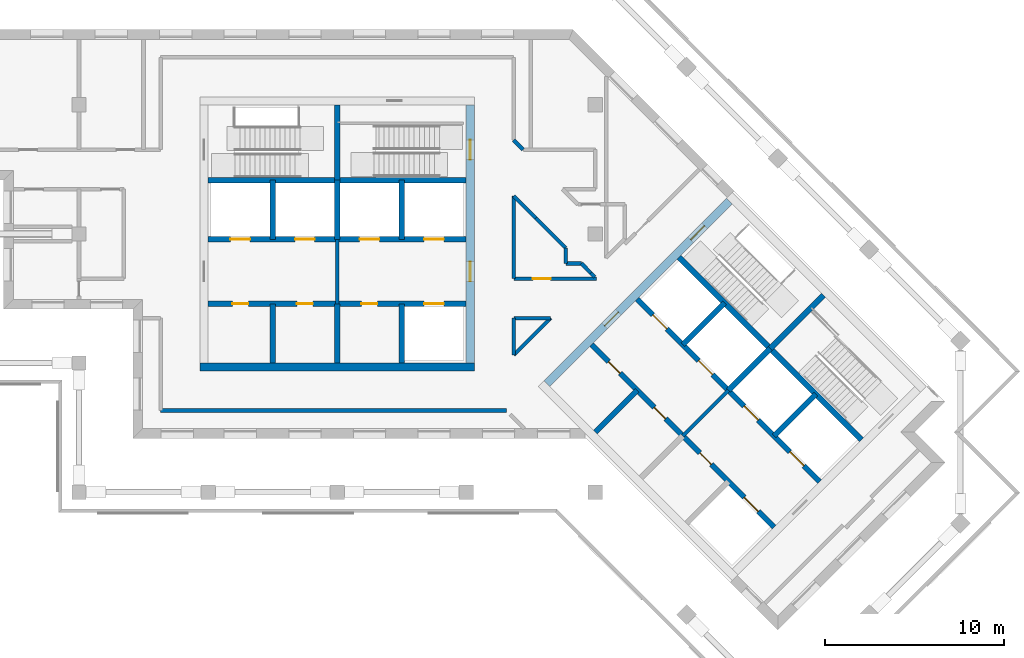
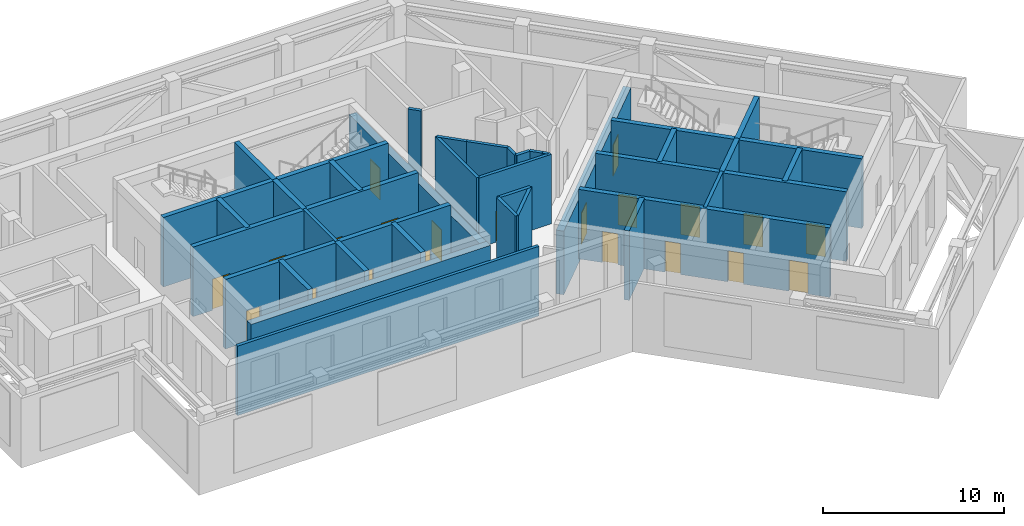
# One storey, part 4 of 9: 38 walls, 21 doors, 21 openings.
"""IFC4 building model written with IfcOpenShell, lengths in metres."""

from ifc_helpers import new_model, si_unit, direction, frame, frame_2d, origin, place, context, subcontext, project, spatial, rectangle, extrude, material, layer, layer_set, type_object, element, fill, save


model = new_model("IFC4")

# Units and contexts
model_context = context("Model", 3, precision=1e-05, world=origin(), true_north=direction((0.0, 1.0)))
body_context = subcontext(model_context, "Body", "Model", "MODEL_VIEW")
ifc_project = project(units=[si_unit("LENGTHUNIT", "METRE"), si_unit("AREAUNIT", "SQUARE_METRE"), si_unit("VOLUMEUNIT", "CUBIC_METRE"), si_unit("PLANEANGLEUNIT", "RADIAN"), si_unit("MASSUNIT", "GRAM", prefix="KILO")], contexts=[model_context])

# Site, building, storey
site_placement = place(None, origin())
site = spatial("IfcSite", under=ifc_project, at=site_placement, CompositionType="ELEMENT")
building_placement = place(site_placement, origin())
building = spatial("IfcBuilding", under=site, at=building_placement, Name="Windrow Commons", CompositionType="ELEMENT")
storey_placement = place(building_placement, frame((0.0, 0.0, 234.6)))
storey = spatial("IfcBuildingStorey", under=building, at=storey_placement, Name="L64", CompositionType="ELEMENT", Elevation=234.6)

# Walls
ifc_material_1 = material(Name="Blockwork partition", Category="masonry")
ifc_layer_1 = layer(ifc_material_1, 0.2)
ifc_layer_set_1 = layer_set([ifc_layer_1], Name="Fire lobby partition 200")
wall_type_1 = type_object("IfcWallType", Name="Fire lobby partition 200", PredefinedType="PARTITIONING", material=ifc_layer_set_1)
for number, where, z_axis, x_axis, name in (
    (1, (64.8, 53.7, 0.0), (0.0, 0.0, 1.0), (0.0, 1.0, 0.0), "W-core-lobby-A-L64"),
    (2, (84.079, 46.332, 0.0), (0.0, 0.0, 1.0), (0.7071067812, 0.7071067812, 0.0), "W-core-lobby-B-L64"),
):
    element("IfcWall", number, at=place(storey_placement, frame(where, z_axis=z_axis, x_axis=x_axis)), inside=storey, type_object=wall_type_1, Name=name, PredefinedType="PARTITIONING", context=body_context, shape_type="SweptSolid", body=[
        extrude(rectangle(XDim=3.6, YDim=0.2, at=frame_2d((1.8, 0.0))), origin(), (0.0, 0.0, 1.0), 4.7),
    ])
ifc_material_2 = material(Name="Blockwork partition", Category="masonry")
ifc_layer_2 = layer(ifc_material_2, 0.2)
ifc_layer_set_2 = layer_set([ifc_layer_2], Name="IW-CORRIDOR-200")
wall_type_2 = type_object("IfcWallType", Name="IW-CORRIDOR-200", PredefinedType="PARTITIONING", material=ifc_layer_set_2)
wall_1_placement = place(storey_placement, frame((54.95, 47.75, 0.0), z_axis=(0.0, 0.0, 1.0), x_axis=(1.0, 0.0, 0.0)))
element("IfcWall", 3, at=wall_1_placement, inside=storey, type_object=wall_type_2, Name="W-L64-W001", PredefinedType="PARTITIONING", context=body_context, shape_type="SweptSolid", body=[
    extrude(rectangle(XDim=19.296, YDim=0.2, at=frame_2d((9.648, 0.0))), origin(), (0.0, 0.0, 1.0), 4.7),
])
wall_2_placement = place(storey_placement, frame((74.65, 55.102, 0.0), z_axis=(0.0, 0.0, 1.0), x_axis=(0.0, 1.0, 0.0)))
element("IfcWall", 4, at=wall_2_placement, inside=storey, type_object=wall_type_2, Name="W-L64-W014", PredefinedType="PARTITIONING", context=body_context, shape_type="SweptSolid", body=[
    extrude(rectangle(XDim=4.616, YDim=0.2, at=frame_2d((2.308, 0.0))), origin(), (0.0, 0.0, 1.0), 4.7),
])

# Wall, opening, door
wall_3_placement = place(storey_placement, frame((74.652, 55.1, 0.0), z_axis=(0.0, 0.0, 1.0), x_axis=(1.0, 0.0, 0.0)))
wall_3 = element("IfcWall", 5, at=wall_3_placement, inside=storey, type_object=wall_type_2, Name="W-L64-W015", PredefinedType="PARTITIONING", context=body_context, shape_type="SweptSolid", body=[
    extrude(rectangle(XDim=4.616, YDim=0.2, at=frame_2d((2.308, 0.0))), origin(), (0.0, 0.0, 1.0), 4.7),
])
opening_1_placement = place(wall_3_placement, frame((1.0599, 0.0, 0.0)))
opening_1 = element("IfcOpeningElement", 6, at=opening_1_placement, cuts=wall_3, Name="Opening D410F", PredefinedType="OPENING", context=body_context, shape_type="SweptSolid", body=[
    extrude(rectangle(XDim=1.0, YDim=2.1, at=frame_2d((0.5, 1.05))), frame((0.0, 0.11, 0.0), z_axis=(0.0, -1.0, 0.0), x_axis=(1.0, 0.0, 0.0)), (0.0, 0.0, 1.0), 0.22),
])
ifc_material_3 = material(Name="Timber door leaf", Category="wood")
door_type_1 = type_object("IfcDoorType", Name="DT-SERVICE-1000", OperationType="SINGLE_SWING_LEFT", PredefinedType="DOOR", material=ifc_material_3)
door_1_placement = place(opening_1_placement, origin())
door_1 = element("IfcDoor", 7, at=door_1_placement, inside=storey, type_object=door_type_1, Name="D-L64-D002", OperationType="SINGLE_SWING_LEFT", OverallHeight=2.1, OverallWidth=1.0, PredefinedType="DOOR", context=body_context, shape_type="SweptSolid", body=[
    extrude(rectangle(XDim=1.0, YDim=2.1, at=frame_2d((0.5, 1.05))), frame((0.0, 0.025, 0.0), z_axis=(0.0, -1.0, 0.0), x_axis=(1.0, 0.0, 0.0)), (0.0, 0.0, 1.0), 0.05),
])
fill(opening_1, door_1)

# Walls
wall_4_placement = place(storey_placement, frame((74.6507, 50.8353, 0.0), z_axis=(0.0, 0.0, 1.0), x_axis=(0.7071067812, 0.7071067812, 0.0)))
element("IfcWall", 8, at=wall_4_placement, inside=storey, type_object=wall_type_2, Name="W-L64-W023", PredefinedType="PARTITIONING", context=body_context, shape_type="SweptSolid", body=[
    extrude(rectangle(XDim=2.9189, YDim=0.2, at=frame_2d((1.4594, 0.0))), origin(), (0.0, 0.0, 1.0), 4.7),
])
wall_5_placement = place(storey_placement, frame((75.8784, 58.4964, 0.0), z_axis=(0.0, 0.0, 1.0), x_axis=(0.7075293128, -0.706683997, 0.0)))
element("IfcWall", 9, at=wall_5_placement, inside=storey, type_object=wall_type_2, Name="W-L64-W025", PredefinedType="PARTITIONING", context=body_context, shape_type="SweptSolid", body=[
    extrude(rectangle(XDim=2.366, YDim=0.2, at=frame_2d((1.183, 0.0))), origin(), (0.0, 0.0, 1.0), 4.7),
])
wall_6_placement = place(storey_placement, frame((74.65, 50.836, 0.0), z_axis=(0.0, 0.0, 1.0), x_axis=(0.0, 1.0, 0.0)))
element("IfcWall", 10, at=wall_6_placement, inside=storey, type_object=wall_type_2, Name="W-L64-W032", PredefinedType="PARTITIONING", context=body_context, shape_type="SweptSolid", body=[
    extrude(rectangle(XDim=2.064, YDim=0.2, at=frame_2d((1.032, 0.0))), origin(), (0.0, 0.0, 1.0), 4.7),
])
wall_7_placement = place(storey_placement, frame((74.652, 52.9, 0.0), z_axis=(0.0, 0.0, 1.0), x_axis=(1.0, 0.0, 0.0)))
element("IfcWall", 11, at=wall_7_placement, inside=storey, type_object=wall_type_2, Name="W-L64-W033", PredefinedType="PARTITIONING", context=body_context, shape_type="SweptSolid", body=[
    extrude(rectangle(XDim=2.062, YDim=0.2, at=frame_2d((1.031, 0.0))), origin(), (0.0, 0.0, 1.0), 4.7),
])
wall_8_placement = place(storey_placement, frame((74.6492, 59.7172, 0.0), z_axis=(0.0, 0.0, 1.0), x_axis=(0.7065293157, -0.7076837754, 0.0)))
element("IfcWall", 12, at=wall_8_placement, inside=storey, type_object=wall_type_2, Name="W-L64-W036", PredefinedType="PARTITIONING", context=body_context, shape_type="SweptSolid", body=[
    extrude(rectangle(XDim=1.7324, YDim=0.2, at=frame_2d((0.8662, 0.0))), origin(), (0.0, 0.0, 1.0), 4.7),
])
for number, where, z_axis, x_axis, name in (
    (13, (77.55, 55.952, 0.0), (0.0, 0.0, 1.0), (0.0, 1.0, 0.0), "W-L64-W045"),
    (14, (77.552, 55.95, 0.0), (0.0, 0.0, 1.0), (1.0, 0.0, 0.0), "W-L64-W046"),
):
    element("IfcWall", number, at=place(storey_placement, frame(where, z_axis=z_axis, x_axis=x_axis)), inside=storey, type_object=wall_type_2, Name=name, PredefinedType="PARTITIONING", context=body_context, shape_type="SweptSolid", body=[
        extrude(rectangle(XDim=0.868, YDim=0.2, at=frame_2d((0.434, 0.0))), origin(), (0.0, 0.0, 1.0), 4.7),
    ])
wall_9_placement = place(storey_placement, frame((74.6469, 62.8289, 0.0), z_axis=(0.0, 0.0, 1.0), x_axis=(0.7071067812, -0.7071067812, 0.0)))
element("IfcWall", 15, at=wall_9_placement, inside=storey, type_object=wall_type_2, Name="W-L64-W047", PredefinedType="PARTITIONING", context=body_context, shape_type="SweptSolid", body=[
    extrude(rectangle(XDim=0.7524, YDim=0.2, at=frame_2d((0.3762, 0.0))), origin(), (0.0, 0.0, 1.0), 4.7),
])
wall_10_placement = place(storey_placement, frame((78.4255, 55.9535, 0.0), z_axis=(0.0, 0.0, 1.0), x_axis=(0.7057738785, -0.7084371761, 0.0)))
element("IfcWall", 16, at=wall_10_placement, inside=storey, type_object=wall_type_2, Name="W-L64-W048", PredefinedType="PARTITIONING", context=body_context, shape_type="SweptSolid", body=[
    extrude(rectangle(XDim=0.7509, YDim=0.2, at=frame_2d((0.3755, 0.0))), origin(), (0.0, 0.0, 1.0), 4.7),
])
wall_11_placement = place(storey_placement, frame((78.9513, 55.4173, 0.0), z_axis=(0.0, 0.0, 1.0), x_axis=(0.709302262, -0.7049044624, 0.0)))
element("IfcWall", 17, at=wall_11_placement, inside=storey, type_object=wall_type_2, Name="W-L64-W049", PredefinedType="PARTITIONING", context=body_context, shape_type="SweptSolid", body=[
    extrude(rectangle(XDim=0.3183, YDim=0.2, at=frame_2d((0.1592, 0.0))), origin(), (0.0, 0.0, 1.0), 4.7),
])
ifc_material_4 = material(Name="Concrete C40/50", Category="concrete")
ifc_layer_3 = layer(ifc_material_4, 0.45)
ifc_layer_set_3 = layer_set([ifc_layer_3], Name="RC CORE WALL 450 C40/50")
wall_type_3 = type_object("IfcWallType", Name="RC CORE WALL 450 C40/50", PredefinedType="SHEAR", material=ifc_layer_set_3)
wall_12_placement = place(storey_placement, frame((57.15, 50.175, -0.3), z_axis=(0.0, 0.0, 1.0), x_axis=(1.0, 0.0, 0.0)))
element("IfcWall", 18, at=wall_12_placement, inside=storey, type_object=wall_type_3, Name="Core A wall outer-S", PredefinedType="SHEAR", context=body_context, shape_type="SweptSolid", body=[
    extrude(rectangle(XDim=15.3, YDim=0.45, at=frame_2d((7.65, 0.0))), origin(), (0.0, 0.0, 1.0), 4.3),
])

# Wall, openings, doors
wall_13_placement = place(storey_placement, frame((72.225, 50.4, -0.3), z_axis=(0.0, 0.0, 1.0), x_axis=(0.0, 1.0, 0.0)))
wall_13 = element("IfcWall", 19, at=wall_13_placement, inside=storey, type_object=wall_type_3, Name="Core A wall outer-E", PredefinedType="SHEAR", context=body_context, shape_type="SweptSolid", body=[
    extrude(rectangle(XDim=14.4, YDim=0.45, at=frame_2d((7.2, 0.0))), origin(), (0.0, 0.0, 1.0), 4.3),
])
opening_2_placement = place(wall_13_placement, frame((4.55, 0.0, 0.3)))
opening_2 = element("IfcOpeningElement", 20, at=opening_2_placement, cuts=wall_13, Name="Opening D6", PredefinedType="OPENING", context=body_context, shape_type="SweptSolid", body=[
    extrude(rectangle(XDim=1.1, YDim=2.1, at=frame_2d((0.55, 1.05))), frame((0.0, 0.235, 0.0), z_axis=(0.0, -1.0, 0.0), x_axis=(1.0, 0.0, 0.0)), (0.0, 0.0, 1.0), 0.47),
])
opening_3_placement = place(wall_13_placement, frame((11.35, 0.0, 0.3)))
opening_3 = element("IfcOpeningElement", 21, at=opening_3_placement, cuts=wall_13, Name="Opening D7", PredefinedType="OPENING", context=body_context, shape_type="SweptSolid", body=[
    extrude(rectangle(XDim=1.1, YDim=2.1, at=frame_2d((0.55, 1.05))), frame((0.0, 0.235, 0.0), z_axis=(0.0, -1.0, 0.0), x_axis=(1.0, 0.0, 0.0)), (0.0, 0.0, 1.0), 0.47),
])
ifc_material_5 = material(Name="Steel fire door leaf", Category="steel")
door_type_2 = type_object("IfcDoorType", Name="Core lobby door 1100", OperationType="SINGLE_SWING_LEFT", PredefinedType="DOOR", material=ifc_material_5)
door_2_placement = place(opening_2_placement, origin())
door_2 = element("IfcDoor", 22, at=door_2_placement, inside=storey, type_object=door_type_2, Name="Lift lobby door", OperationType="DOUBLE_DOOR_SINGLE_SWING", OverallHeight=2.1, OverallWidth=1.1, PredefinedType="DOOR", context=body_context, shape_type="SweptSolid", body=[
    extrude(rectangle(XDim=1.1, YDim=2.1, at=frame_2d((0.55, 1.05))), frame((0.0, 0.025, 0.0), z_axis=(0.0, -1.0, 0.0), x_axis=(1.0, 0.0, 0.0)), (0.0, 0.0, 1.0), 0.05),
])
fill(opening_2, door_2)
ifc_material_6 = material(Name="Steel fire door leaf", Category="steel")
door_type_3 = type_object("IfcDoorType", Name="Stair door 1100", OperationType="SINGLE_SWING_LEFT", PredefinedType="DOOR", material=ifc_material_6)
door_3_placement = place(opening_3_placement, origin())
door_3 = element("IfcDoor", 23, at=door_3_placement, inside=storey, type_object=door_type_3, Name="Stair door", OperationType="SINGLE_SWING_RIGHT", OverallHeight=2.1, OverallWidth=1.1, PredefinedType="DOOR", context=body_context, shape_type="SweptSolid", body=[
    extrude(rectangle(XDim=1.1, YDim=2.1, at=frame_2d((0.55, 1.05))), frame((0.0, 0.025, 0.0), z_axis=(0.0, -1.0, 0.0), x_axis=(1.0, 0.0, 0.0)), (0.0, 0.0, 1.0), 0.05),
])
fill(opening_3, door_3)

wall_14_placement = place(storey_placement, frame((76.4953, 49.2488, -0.3), z_axis=(0.0, 0.0, 1.0), x_axis=(0.7071067812, 0.7071067812, 0.0)))
wall_14 = element("IfcWall", 24, at=wall_14_placement, inside=storey, type_object=wall_type_3, Name="Core B wall outer-W", PredefinedType="SHEAR", context=body_context, shape_type="SweptSolid", body=[
    extrude(rectangle(XDim=14.4001, YDim=0.45, at=frame_2d((7.2001, 0.0))), origin(), (0.0, 0.0, 1.0), 4.3),
])
opening_4_placement = place(wall_14_placement, frame((4.55, 0.0, 0.3)))
opening_4 = element("IfcOpeningElement", 25, at=opening_4_placement, cuts=wall_14, Name="Opening D6", PredefinedType="OPENING", context=body_context, shape_type="SweptSolid", body=[
    extrude(rectangle(XDim=1.1, YDim=2.1, at=frame_2d((0.55, 1.05))), frame((0.0, 0.235, 0.0), z_axis=(0.0, -1.0, 0.0), x_axis=(1.0, 0.0, 0.0)), (0.0, 0.0, 1.0), 0.47),
])
opening_5_placement = place(wall_14_placement, frame((11.35, 0.0, 0.3)))
opening_5 = element("IfcOpeningElement", 26, at=opening_5_placement, cuts=wall_14, Name="Opening D7", PredefinedType="OPENING", context=body_context, shape_type="SweptSolid", body=[
    extrude(rectangle(XDim=1.1, YDim=2.1, at=frame_2d((0.55, 1.05))), frame((0.0, 0.235, 0.0), z_axis=(0.0, -1.0, 0.0), x_axis=(1.0, 0.0, 0.0)), (0.0, 0.0, 1.0), 0.47),
])
door_4_placement = place(opening_4_placement, origin())
door_4 = element("IfcDoor", 27, at=door_4_placement, inside=storey, type_object=door_type_2, Name="Lift lobby door", OperationType="DOUBLE_DOOR_SINGLE_SWING", OverallHeight=2.1, OverallWidth=1.1, PredefinedType="DOOR", context=body_context, shape_type="SweptSolid", body=[
    extrude(rectangle(XDim=1.1, YDim=2.1, at=frame_2d((0.55, 1.05))), frame((0.0, 0.025, 0.0), z_axis=(0.0, -1.0, 0.0), x_axis=(1.0, 0.0, 0.0)), (0.0, 0.0, 1.0), 0.05),
])
fill(opening_4, door_4)
door_5_placement = place(opening_5_placement, origin())
door_5 = element("IfcDoor", 28, at=door_5_placement, inside=storey, type_object=door_type_3, Name="Stair door", OperationType="SINGLE_SWING_LEFT", OverallHeight=2.1, OverallWidth=1.1, PredefinedType="DOOR", context=body_context, shape_type="SweptSolid", body=[
    extrude(rectangle(XDim=1.1, YDim=2.1, at=frame_2d((0.55, 1.05))), frame((0.0, 0.025, 0.0), z_axis=(0.0, -1.0, 0.0), x_axis=(1.0, 0.0, 0.0)), (0.0, 0.0, 1.0), 0.05),
])
fill(opening_5, door_5)

# Walls
ifc_material_7 = material(Name="Concrete C40/50", Category="concrete")
ifc_layer_4 = layer(ifc_material_7, 0.3)
ifc_layer_set_4 = layer_set([ifc_layer_4], Name="RC SHAFT WALL 300 C40/50")
wall_type_4 = type_object("IfcWallType", Name="RC SHAFT WALL 300 C40/50", PredefinedType="SOLIDWALL", material=ifc_layer_set_4)
for number, where, z_axis, x_axis, name in (
    (29, (61.2, 50.4, 0.0), (0.0, 0.0, 1.0), (0.0, 1.0, 0.0), "Core A wall shaft-S1"),
    (30, (61.2, 57.3, 0.0), (0.0, 0.0, 1.0), (0.0, 1.0, 0.0), "Core A wall shaft-N1"),
    (31, (64.8, 50.4, 0.0), (0.0, 0.0, 1.0), (0.0, 1.0, 0.0), "Core A wall shaft-S2"),
    (32, (64.8, 57.3, 0.0), (0.0, 0.0, 1.0), (0.0, 1.0, 0.0), "Core A wall shaft-N2"),
    (33, (68.4, 50.4, 0.0), (0.0, 0.0, 1.0), (0.0, 1.0, 0.0), "Core A wall shaft-S3"),
    (34, (68.4, 57.3, 0.0), (0.0, 0.0, 1.0), (0.0, 1.0, 0.0), "Core A wall shaft-N3"),
):
    element("IfcWall", number, at=place(storey_placement, frame(where, z_axis=z_axis, x_axis=x_axis)), inside=storey, type_object=wall_type_4, Name=name, PredefinedType="SOLIDWALL", context=body_context, shape_type="SweptSolid", body=[
        extrude(rectangle(XDim=3.3, YDim=0.3, at=frame_2d((1.65, 0.0))), origin(), (0.0, 0.0, 1.0), 4.7),
    ])

# Wall, openings, doors
wall_15_placement = place(storey_placement, frame((57.6, 53.7, 0.0), z_axis=(0.0, 0.0, 1.0), x_axis=(1.0, 0.0, 0.0)))
wall_15 = element("IfcWall", 35, at=wall_15_placement, inside=storey, type_object=wall_type_4, Name="Core A wall lobby-S", PredefinedType="SOLIDWALL", context=body_context, shape_type="SweptSolid", body=[
    extrude(rectangle(XDim=14.4, YDim=0.3, at=frame_2d((7.2, 0.0))), origin(), (0.0, 0.0, 1.0), 4.7),
])
opening_6_placement = place(wall_15_placement, frame((1.35, 0.0, 0.0)))
opening_6 = element("IfcOpeningElement", 36, at=opening_6_placement, cuts=wall_15, Name="Opening D8", PredefinedType="OPENING", context=body_context, shape_type="SweptSolid", body=[
    extrude(rectangle(XDim=0.9, YDim=2.1, at=frame_2d((0.45, 1.05))), frame((0.0, 0.16, 0.0), z_axis=(0.0, -1.0, 0.0), x_axis=(1.0, 0.0, 0.0)), (0.0, 0.0, 1.0), 0.32),
])
opening_7_placement = place(wall_15_placement, frame((4.95, 0.0, 0.0)))
opening_7 = element("IfcOpeningElement", 37, at=opening_7_placement, cuts=wall_15, Name="Opening D8", PredefinedType="OPENING", context=body_context, shape_type="SweptSolid", body=[
    extrude(rectangle(XDim=0.9, YDim=2.1, at=frame_2d((0.45, 1.05))), frame((0.0, 0.16, 0.0), z_axis=(0.0, -1.0, 0.0), x_axis=(1.0, 0.0, 0.0)), (0.0, 0.0, 1.0), 0.32),
])
opening_8_placement = place(wall_15_placement, frame((8.55, 0.0, 0.0)))
opening_8 = element("IfcOpeningElement", 38, at=opening_8_placement, cuts=wall_15, Name="Opening D8", PredefinedType="OPENING", context=body_context, shape_type="SweptSolid", body=[
    extrude(rectangle(XDim=0.9, YDim=2.1, at=frame_2d((0.45, 1.05))), frame((0.0, 0.16, 0.0), z_axis=(0.0, -1.0, 0.0), x_axis=(1.0, 0.0, 0.0)), (0.0, 0.0, 1.0), 0.32),
])
opening_9_placement = place(wall_15_placement, frame((12.05, 0.0, 0.0)))
opening_9 = element("IfcOpeningElement", 39, at=opening_9_placement, cuts=wall_15, Name="Opening LD", PredefinedType="OPENING", context=body_context, shape_type="SweptSolid", body=[
    extrude(rectangle(XDim=1.1, YDim=2.1, at=frame_2d((0.55, 1.05))), frame((0.0, 0.16, 0.0), z_axis=(0.0, -1.0, 0.0), x_axis=(1.0, 0.0, 0.0)), (0.0, 0.0, 1.0), 0.32),
])
ifc_material_8 = material(Name="Steel fire door leaf", Category="steel")
door_type_4 = type_object("IfcDoorType", Name="Core store door 900", OperationType="SINGLE_SWING_LEFT", PredefinedType="DOOR", material=ifc_material_8)
door_6_placement = place(opening_6_placement, origin())
door_6 = element("IfcDoor", 40, at=door_6_placement, inside=storey, type_object=door_type_4, Name="Store door", OperationType="SINGLE_SWING_LEFT", OverallHeight=2.1, OverallWidth=0.9, PredefinedType="DOOR", context=body_context, shape_type="SweptSolid", body=[
    extrude(rectangle(XDim=0.9, YDim=2.1, at=frame_2d((0.45, 1.05))), frame((0.0, 0.025, 0.0), z_axis=(0.0, -1.0, 0.0), x_axis=(1.0, 0.0, 0.0)), (0.0, 0.0, 1.0), 0.05),
])
fill(opening_6, door_6)
door_7_placement = place(opening_7_placement, origin())
door_7 = element("IfcDoor", 41, at=door_7_placement, inside=storey, type_object=door_type_4, Name="Store door", OperationType="SINGLE_SWING_LEFT", OverallHeight=2.1, OverallWidth=0.9, PredefinedType="DOOR", context=body_context, shape_type="SweptSolid", body=[
    extrude(rectangle(XDim=0.9, YDim=2.1, at=frame_2d((0.45, 1.05))), frame((0.0, 0.025, 0.0), z_axis=(0.0, -1.0, 0.0), x_axis=(1.0, 0.0, 0.0)), (0.0, 0.0, 1.0), 0.05),
])
fill(opening_7, door_7)
door_8_placement = place(opening_8_placement, origin())
door_8 = element("IfcDoor", 42, at=door_8_placement, inside=storey, type_object=door_type_4, Name="Store door", OperationType="SINGLE_SWING_LEFT", OverallHeight=2.1, OverallWidth=0.9, PredefinedType="DOOR", context=body_context, shape_type="SweptSolid", body=[
    extrude(rectangle(XDim=0.9, YDim=2.1, at=frame_2d((0.45, 1.05))), frame((0.0, 0.025, 0.0), z_axis=(0.0, -1.0, 0.0), x_axis=(1.0, 0.0, 0.0)), (0.0, 0.0, 1.0), 0.05),
])
fill(opening_8, door_8)
ifc_material_9 = material(Name="Stainless steel door leaf", Category="steel")
door_type_5 = type_object("IfcDoorType", Name="Lift landing door 1100", OperationType="SLIDING_TO_LEFT", PredefinedType="DOOR", material=ifc_material_9)
door_9_placement = place(opening_9_placement, origin())
door_9 = element("IfcDoor", 43, at=door_9_placement, inside=storey, type_object=door_type_5, Name="Lift landing door", OperationType="SLIDING_TO_RIGHT", OverallHeight=2.1, OverallWidth=1.1, PredefinedType="DOOR", context=body_context, shape_type="SweptSolid", body=[
    extrude(rectangle(XDim=1.1, YDim=2.1, at=frame_2d((0.55, 1.05))), frame((0.0, 0.025, 0.0), z_axis=(0.0, -1.0, 0.0), x_axis=(1.0, 0.0, 0.0)), (0.0, 0.0, 1.0), 0.05),
])
fill(opening_9, door_9)

wall_16_placement = place(storey_placement, frame((57.6, 57.3, 0.0), z_axis=(0.0, 0.0, 1.0), x_axis=(1.0, 0.0, 0.0)))
wall_16 = element("IfcWall", 44, at=wall_16_placement, inside=storey, type_object=wall_type_4, Name="Core A wall lobby-N", PredefinedType="SOLIDWALL", context=body_context, shape_type="SweptSolid", body=[
    extrude(rectangle(XDim=14.4, YDim=0.3, at=frame_2d((7.2, 0.0))), origin(), (0.0, 0.0, 1.0), 4.7),
])
opening_10_placement = place(wall_16_placement, frame((1.25, 0.0, 0.0)))
opening_10 = element("IfcOpeningElement", 45, at=opening_10_placement, cuts=wall_16, Name="Opening LD", PredefinedType="OPENING", context=body_context, shape_type="SweptSolid", body=[
    extrude(rectangle(XDim=1.1, YDim=2.1, at=frame_2d((0.55, 1.05))), frame((0.0, 0.16, 0.0), z_axis=(0.0, -1.0, 0.0), x_axis=(1.0, 0.0, 0.0)), (0.0, 0.0, 1.0), 0.32),
])
opening_11_placement = place(wall_16_placement, frame((4.85, 0.0, 0.0)))
opening_11 = element("IfcOpeningElement", 46, at=opening_11_placement, cuts=wall_16, Name="Opening LD", PredefinedType="OPENING", context=body_context, shape_type="SweptSolid", body=[
    extrude(rectangle(XDim=1.1, YDim=2.1, at=frame_2d((0.55, 1.05))), frame((0.0, 0.16, 0.0), z_axis=(0.0, -1.0, 0.0), x_axis=(1.0, 0.0, 0.0)), (0.0, 0.0, 1.0), 0.32),
])
opening_12_placement = place(wall_16_placement, frame((8.45, 0.0, 0.0)))
opening_12 = element("IfcOpeningElement", 47, at=opening_12_placement, cuts=wall_16, Name="Opening LD", PredefinedType="OPENING", context=body_context, shape_type="SweptSolid", body=[
    extrude(rectangle(XDim=1.1, YDim=2.1, at=frame_2d((0.55, 1.05))), frame((0.0, 0.16, 0.0), z_axis=(0.0, -1.0, 0.0), x_axis=(1.0, 0.0, 0.0)), (0.0, 0.0, 1.0), 0.32),
])
opening_13_placement = place(wall_16_placement, frame((12.05, 0.0, 0.0)))
opening_13 = element("IfcOpeningElement", 48, at=opening_13_placement, cuts=wall_16, Name="Opening LD", PredefinedType="OPENING", context=body_context, shape_type="SweptSolid", body=[
    extrude(rectangle(XDim=1.1, YDim=2.1, at=frame_2d((0.55, 1.05))), frame((0.0, 0.16, 0.0), z_axis=(0.0, -1.0, 0.0), x_axis=(1.0, 0.0, 0.0)), (0.0, 0.0, 1.0), 0.32),
])
door_10_placement = place(opening_10_placement, origin())
door_10 = element("IfcDoor", 49, at=door_10_placement, inside=storey, type_object=door_type_5, Name="Lift landing door", OperationType="SLIDING_TO_LEFT", OverallHeight=2.1, OverallWidth=1.1, PredefinedType="DOOR", context=body_context, shape_type="SweptSolid", body=[
    extrude(rectangle(XDim=1.1, YDim=2.1, at=frame_2d((0.55, 1.05))), frame((0.0, 0.025, 0.0), z_axis=(0.0, -1.0, 0.0), x_axis=(1.0, 0.0, 0.0)), (0.0, 0.0, 1.0), 0.05),
])
fill(opening_10, door_10)
door_11_placement = place(opening_11_placement, origin())
door_11 = element("IfcDoor", 50, at=door_11_placement, inside=storey, type_object=door_type_5, Name="Lift landing door", OperationType="SLIDING_TO_RIGHT", OverallHeight=2.1, OverallWidth=1.1, PredefinedType="DOOR", context=body_context, shape_type="SweptSolid", body=[
    extrude(rectangle(XDim=1.1, YDim=2.1, at=frame_2d((0.55, 1.05))), frame((0.0, 0.025, 0.0), z_axis=(0.0, -1.0, 0.0), x_axis=(1.0, 0.0, 0.0)), (0.0, 0.0, 1.0), 0.05),
])
fill(opening_11, door_11)
door_12_placement = place(opening_12_placement, origin())
door_12 = element("IfcDoor", 51, at=door_12_placement, inside=storey, type_object=door_type_5, Name="Lift landing door", OperationType="SLIDING_TO_LEFT", OverallHeight=2.1, OverallWidth=1.1, PredefinedType="DOOR", context=body_context, shape_type="SweptSolid", body=[
    extrude(rectangle(XDim=1.1, YDim=2.1, at=frame_2d((0.55, 1.05))), frame((0.0, 0.025, 0.0), z_axis=(0.0, -1.0, 0.0), x_axis=(1.0, 0.0, 0.0)), (0.0, 0.0, 1.0), 0.05),
])
fill(opening_12, door_12)
door_13_placement = place(opening_13_placement, origin())
door_13 = element("IfcDoor", 52, at=door_13_placement, inside=storey, type_object=door_type_5, Name="Lift landing door", OperationType="SLIDING_TO_RIGHT", OverallHeight=2.1, OverallWidth=1.1, PredefinedType="DOOR", context=body_context, shape_type="SweptSolid", body=[
    extrude(rectangle(XDim=1.1, YDim=2.1, at=frame_2d((0.55, 1.05))), frame((0.0, 0.025, 0.0), z_axis=(0.0, -1.0, 0.0), x_axis=(1.0, 0.0, 0.0)), (0.0, 0.0, 1.0), 0.05),
])
fill(opening_13, door_13)

# Walls
for number, where, z_axis, x_axis, name in (
    (53, (57.6, 60.6, 0.0), (0.0, 0.0, 1.0), (1.0, 0.0, 0.0), "Core A wall stair-S"),
    (54, (64.8, 60.6, 0.0), (0.0, 0.0, 1.0), (1.0, 0.0, 0.0), "Core A wall stair-S2"),
):
    element("IfcWall", number, at=place(storey_placement, frame(where, z_axis=z_axis, x_axis=x_axis)), inside=storey, type_object=wall_type_4, Name=name, PredefinedType="SOLIDWALL", context=body_context, shape_type="SweptSolid", body=[
        extrude(rectangle(XDim=7.2, YDim=0.3, at=frame_2d((3.6, 0.0))), origin(), (0.0, 0.0, 1.0), 4.7),
    ])
wall_17_placement = place(storey_placement, frame((64.8, 60.6, 0.0), z_axis=(0.0, 0.0, 1.0), x_axis=(0.0, 1.0, 0.0)))
element("IfcWall", 55, at=wall_17_placement, inside=storey, type_object=wall_type_4, Name="Core A wall stair-mid", PredefinedType="SOLIDWALL", context=body_context, shape_type="SweptSolid", body=[
    extrude(rectangle(XDim=4.2, YDim=0.3, at=frame_2d((2.1, 0.0))), origin(), (0.0, 0.0, 1.0), 4.7),
])
for number, where, z_axis, x_axis, name in (
    (56, (79.2, 46.5442, 0.0), (0.0, 0.0, 1.0), (0.7071219326, 0.7070916295, 0.0), "Core B wall shaft-S1"),
    (57, (84.079, 51.4232, 0.0), (0.0, 0.0, 1.0), (0.7071219326, 0.7070916295, 0.0), "Core B wall shaft-N1"),
):
    element("IfcWall", number, at=place(storey_placement, frame(where, z_axis=z_axis, x_axis=x_axis)), inside=storey, type_object=wall_type_4, Name=name, PredefinedType="SOLIDWALL", context=body_context, shape_type="SweptSolid", body=[
        extrude(rectangle(XDim=3.3, YDim=0.3, at=frame_2d((1.65, 0.0))), origin(), (0.0, 0.0, 1.0), 4.7),
    ])
for number, where, z_axis, x_axis, name in (
    (58, (86.6246, 48.8776, 0.0), (0.0, 0.0, 1.0), (0.7071067812, 0.7071067812, 0.0), "Core B wall shaft-N2"),
    (59, (89.1702, 46.332, 0.0), (0.0, 0.0, 1.0), (0.7071067812, 0.7071067812, 0.0), "Core B wall shaft-N3"),
):
    element("IfcWall", number, at=place(storey_placement, frame(where, z_axis=z_axis, x_axis=x_axis)), inside=storey, type_object=wall_type_4, Name=name, PredefinedType="SOLIDWALL", context=body_context, shape_type="SweptSolid", body=[
        extrude(rectangle(XDim=3.3001, YDim=0.3, at=frame_2d((1.6501, 0.0))), origin(), (0.0, 0.0, 1.0), 4.7),
    ])

# Wall, openings, doors
wall_18_placement = place(storey_placement, frame((78.9879, 51.4232, 0.0), z_axis=(0.0, 0.0, 1.0), x_axis=(0.7071067812, -0.7071067812, 0.0)))
wall_18 = element("IfcWall", 60, at=wall_18_placement, inside=storey, type_object=wall_type_4, Name="Core B wall lobby-S", PredefinedType="SOLIDWALL", context=body_context, shape_type="SweptSolid", body=[
    extrude(rectangle(XDim=14.3999, YDim=0.3, at=frame_2d((7.2, 0.0))), origin(), (0.0, 0.0, 1.0), 4.7),
])
opening_14_placement = place(wall_18_placement, frame((1.35, 0.0, 0.0)))
opening_14 = element("IfcOpeningElement", 61, at=opening_14_placement, cuts=wall_18, Name="Opening D8", PredefinedType="OPENING", context=body_context, shape_type="SweptSolid", body=[
    extrude(rectangle(XDim=0.9, YDim=2.1, at=frame_2d((0.45, 1.05))), frame((0.0, 0.16, 0.0), z_axis=(0.0, -1.0, 0.0), x_axis=(1.0, 0.0, 0.0)), (0.0, 0.0, 1.0), 0.32),
])
opening_15_placement = place(wall_18_placement, frame((4.95, 0.0, 0.0)))
opening_15 = element("IfcOpeningElement", 62, at=opening_15_placement, cuts=wall_18, Name="Opening D8", PredefinedType="OPENING", context=body_context, shape_type="SweptSolid", body=[
    extrude(rectangle(XDim=0.9, YDim=2.1, at=frame_2d((0.45, 1.05))), frame((0.0, 0.16, 0.0), z_axis=(0.0, -1.0, 0.0), x_axis=(1.0, 0.0, 0.0)), (0.0, 0.0, 1.0), 0.32),
])
opening_16_placement = place(wall_18_placement, frame((8.55, 0.0, 0.0)))
opening_16 = element("IfcOpeningElement", 63, at=opening_16_placement, cuts=wall_18, Name="Opening D8", PredefinedType="OPENING", context=body_context, shape_type="SweptSolid", body=[
    extrude(rectangle(XDim=0.9, YDim=2.1, at=frame_2d((0.45, 1.05))), frame((0.0, 0.16, 0.0), z_axis=(0.0, -1.0, 0.0), x_axis=(1.0, 0.0, 0.0)), (0.0, 0.0, 1.0), 0.32),
])
opening_17_placement = place(wall_18_placement, frame((12.05, 0.0, 0.0)))
opening_17 = element("IfcOpeningElement", 64, at=opening_17_placement, cuts=wall_18, Name="Opening LD", PredefinedType="OPENING", context=body_context, shape_type="SweptSolid", body=[
    extrude(rectangle(XDim=1.1, YDim=2.1, at=frame_2d((0.55, 1.05))), frame((0.0, 0.16, 0.0), z_axis=(0.0, -1.0, 0.0), x_axis=(1.0, 0.0, 0.0)), (0.0, 0.0, 1.0), 0.32),
])
door_14_placement = place(opening_14_placement, origin())
door_14 = element("IfcDoor", 65, at=door_14_placement, inside=storey, type_object=door_type_4, Name="Store door", OperationType="SINGLE_SWING_LEFT", OverallHeight=2.1, OverallWidth=0.9, PredefinedType="DOOR", context=body_context, shape_type="SweptSolid", body=[
    extrude(rectangle(XDim=0.9, YDim=2.1, at=frame_2d((0.45, 1.05))), frame((0.0, 0.025, 0.0), z_axis=(0.0, -1.0, 0.0), x_axis=(1.0, 0.0, 0.0)), (0.0, 0.0, 1.0), 0.05),
])
fill(opening_14, door_14)
door_15_placement = place(opening_15_placement, origin())
door_15 = element("IfcDoor", 66, at=door_15_placement, inside=storey, type_object=door_type_4, Name="Store door", OperationType="SINGLE_SWING_LEFT", OverallHeight=2.1, OverallWidth=0.9, PredefinedType="DOOR", context=body_context, shape_type="SweptSolid", body=[
    extrude(rectangle(XDim=0.9, YDim=2.1, at=frame_2d((0.45, 1.05))), frame((0.0, 0.025, 0.0), z_axis=(0.0, -1.0, 0.0), x_axis=(1.0, 0.0, 0.0)), (0.0, 0.0, 1.0), 0.05),
])
fill(opening_15, door_15)
door_16_placement = place(opening_16_placement, origin())
door_16 = element("IfcDoor", 67, at=door_16_placement, inside=storey, type_object=door_type_4, Name="Store door", OperationType="SINGLE_SWING_LEFT", OverallHeight=2.1, OverallWidth=0.9, PredefinedType="DOOR", context=body_context, shape_type="SweptSolid", body=[
    extrude(rectangle(XDim=0.9, YDim=2.1, at=frame_2d((0.45, 1.05))), frame((0.0, 0.025, 0.0), z_axis=(0.0, -1.0, 0.0), x_axis=(1.0, 0.0, 0.0)), (0.0, 0.0, 1.0), 0.05),
])
fill(opening_16, door_16)
door_17_placement = place(opening_17_placement, origin())
door_17 = element("IfcDoor", 68, at=door_17_placement, inside=storey, type_object=door_type_5, Name="Lift landing door", OperationType="SLIDING_TO_RIGHT", OverallHeight=2.1, OverallWidth=1.1, PredefinedType="DOOR", context=body_context, shape_type="SweptSolid", body=[
    extrude(rectangle(XDim=1.1, YDim=2.1, at=frame_2d((0.55, 1.05))), frame((0.0, 0.025, 0.0), z_axis=(0.0, -1.0, 0.0), x_axis=(1.0, 0.0, 0.0)), (0.0, 0.0, 1.0), 0.05),
])
fill(opening_17, door_17)

wall_19_placement = place(storey_placement, frame((81.5335, 53.9688, 0.0), z_axis=(0.0, 0.0, 1.0), x_axis=(0.707103309, -0.7071102534, 0.0)))
wall_19 = element("IfcWall", 69, at=wall_19_placement, inside=storey, type_object=wall_type_4, Name="Core B wall lobby-N", PredefinedType="SOLIDWALL", context=body_context, shape_type="SweptSolid", body=[
    extrude(rectangle(XDim=14.4, YDim=0.3, at=frame_2d((7.2, 0.0))), origin(), (0.0, 0.0, 1.0), 4.7),
])
opening_18_placement = place(wall_19_placement, frame((1.25, 0.0, 0.0)))
opening_18 = element("IfcOpeningElement", 70, at=opening_18_placement, cuts=wall_19, Name="Opening LD", PredefinedType="OPENING", context=body_context, shape_type="SweptSolid", body=[
    extrude(rectangle(XDim=1.1, YDim=2.1, at=frame_2d((0.55, 1.05))), frame((0.0, 0.16, 0.0), z_axis=(0.0, -1.0, 0.0), x_axis=(1.0, 0.0, 0.0)), (0.0, 0.0, 1.0), 0.32),
])
opening_19_placement = place(wall_19_placement, frame((4.85, 0.0, 0.0)))
opening_19 = element("IfcOpeningElement", 71, at=opening_19_placement, cuts=wall_19, Name="Opening LD", PredefinedType="OPENING", context=body_context, shape_type="SweptSolid", body=[
    extrude(rectangle(XDim=1.1, YDim=2.1, at=frame_2d((0.55, 1.05))), frame((0.0, 0.16, 0.0), z_axis=(0.0, -1.0, 0.0), x_axis=(1.0, 0.0, 0.0)), (0.0, 0.0, 1.0), 0.32),
])
opening_20_placement = place(wall_19_placement, frame((8.45, 0.0, 0.0)))
opening_20 = element("IfcOpeningElement", 72, at=opening_20_placement, cuts=wall_19, Name="Opening LD", PredefinedType="OPENING", context=body_context, shape_type="SweptSolid", body=[
    extrude(rectangle(XDim=1.1, YDim=2.1, at=frame_2d((0.55, 1.05))), frame((0.0, 0.16, 0.0), z_axis=(0.0, -1.0, 0.0), x_axis=(1.0, 0.0, 0.0)), (0.0, 0.0, 1.0), 0.32),
])
opening_21_placement = place(wall_19_placement, frame((12.05, 0.0, 0.0)))
opening_21 = element("IfcOpeningElement", 73, at=opening_21_placement, cuts=wall_19, Name="Opening LD", PredefinedType="OPENING", context=body_context, shape_type="SweptSolid", body=[
    extrude(rectangle(XDim=1.1, YDim=2.1, at=frame_2d((0.55, 1.05))), frame((0.0, 0.16, 0.0), z_axis=(0.0, -1.0, 0.0), x_axis=(1.0, 0.0, 0.0)), (0.0, 0.0, 1.0), 0.32),
])
door_18_placement = place(opening_18_placement, origin())
door_18 = element("IfcDoor", 74, at=door_18_placement, inside=storey, type_object=door_type_5, Name="Lift landing door", OperationType="SLIDING_TO_LEFT", OverallHeight=2.1, OverallWidth=1.1, PredefinedType="DOOR", context=body_context, shape_type="SweptSolid", body=[
    extrude(rectangle(XDim=1.1, YDim=2.1, at=frame_2d((0.55, 1.05))), frame((0.0, 0.025, 0.0), z_axis=(0.0, -1.0, 0.0), x_axis=(1.0, 0.0, 0.0)), (0.0, 0.0, 1.0), 0.05),
])
fill(opening_18, door_18)
door_19_placement = place(opening_19_placement, origin())
door_19 = element("IfcDoor", 75, at=door_19_placement, inside=storey, type_object=door_type_5, Name="Lift landing door", OperationType="SLIDING_TO_RIGHT", OverallHeight=2.1, OverallWidth=1.1, PredefinedType="DOOR", context=body_context, shape_type="SweptSolid", body=[
    extrude(rectangle(XDim=1.1, YDim=2.1, at=frame_2d((0.55, 1.05))), frame((0.0, 0.025, 0.0), z_axis=(0.0, -1.0, 0.0), x_axis=(1.0, 0.0, 0.0)), (0.0, 0.0, 1.0), 0.05),
])
fill(opening_19, door_19)
door_20_placement = place(opening_20_placement, origin())
door_20 = element("IfcDoor", 76, at=door_20_placement, inside=storey, type_object=door_type_5, Name="Lift landing door", OperationType="SLIDING_TO_LEFT", OverallHeight=2.1, OverallWidth=1.1, PredefinedType="DOOR", context=body_context, shape_type="SweptSolid", body=[
    extrude(rectangle(XDim=1.1, YDim=2.1, at=frame_2d((0.55, 1.05))), frame((0.0, 0.025, 0.0), z_axis=(0.0, -1.0, 0.0), x_axis=(1.0, 0.0, 0.0)), (0.0, 0.0, 1.0), 0.05),
])
fill(opening_20, door_20)
door_21_placement = place(opening_21_placement, origin())
door_21 = element("IfcDoor", 77, at=door_21_placement, inside=storey, type_object=door_type_5, Name="Lift landing door", OperationType="SLIDING_TO_RIGHT", OverallHeight=2.1, OverallWidth=1.1, PredefinedType="DOOR", context=body_context, shape_type="SweptSolid", body=[
    extrude(rectangle(XDim=1.1, YDim=2.1, at=frame_2d((0.55, 1.05))), frame((0.0, 0.025, 0.0), z_axis=(0.0, -1.0, 0.0), x_axis=(1.0, 0.0, 0.0)), (0.0, 0.0, 1.0), 0.05),
])
fill(opening_21, door_21)

# Walls
for number, where, z_axis, x_axis, name in (
    (78, (83.8669, 56.3022, 0.0), (0.0, 0.0, 1.0), (0.7071137256, -0.7070998367, 0.0), "Core B wall stair-S"),
    (79, (88.9581, 51.2111, 0.0), (0.0, 0.0, 1.0), (0.7070998367, -0.7071137256, 0.0), "Core B wall stair-S2"),
):
    element("IfcWall", number, at=place(storey_placement, frame(where, z_axis=z_axis, x_axis=x_axis)), inside=storey, type_object=wall_type_4, Name=name, PredefinedType="SOLIDWALL", context=body_context, shape_type="SweptSolid", body=[
        extrude(rectangle(XDim=7.2, YDim=0.3, at=frame_2d((3.6, 0.0))), origin(), (0.0, 0.0, 1.0), 4.7),
    ])
wall_20_placement = place(storey_placement, frame((88.9581, 51.2111, 0.0), z_axis=(0.0, 0.0, 1.0), x_axis=(0.7071067812, 0.7071067812, 0.0)))
element("IfcWall", 80, at=wall_20_placement, inside=storey, type_object=wall_type_4, Name="Core B wall stair-mid", PredefinedType="SOLIDWALL", context=body_context, shape_type="SweptSolid", body=[
    extrude(rectangle(XDim=4.1999, YDim=0.3, at=frame_2d((2.1, 0.0))), origin(), (0.0, 0.0, 1.0), 4.7),
])

save(model, "model.ifc")
